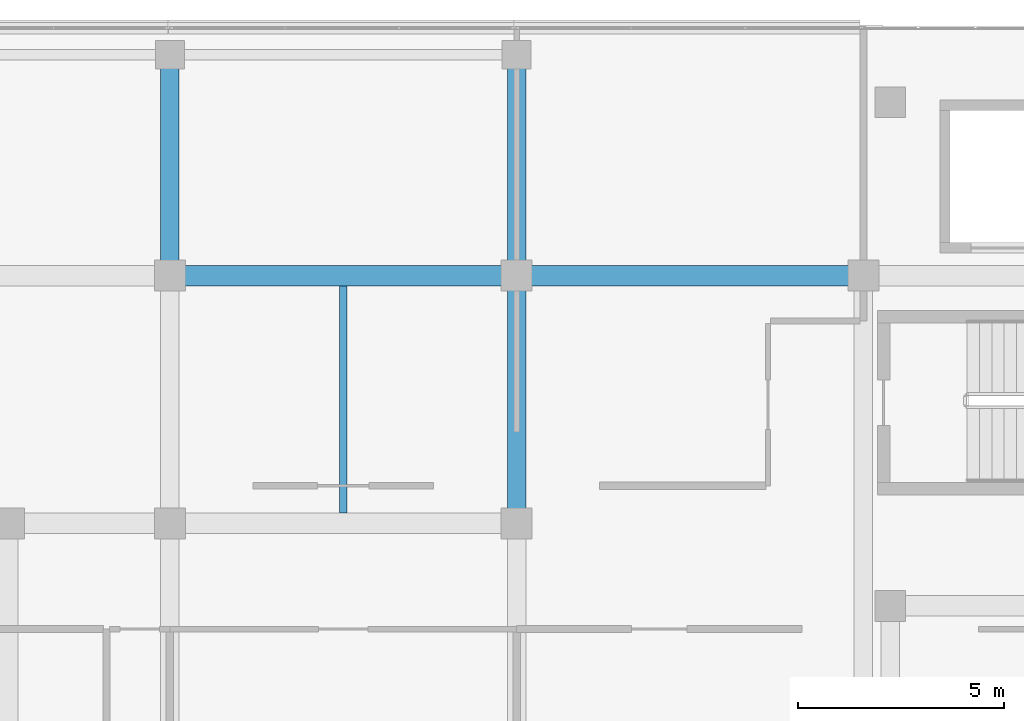
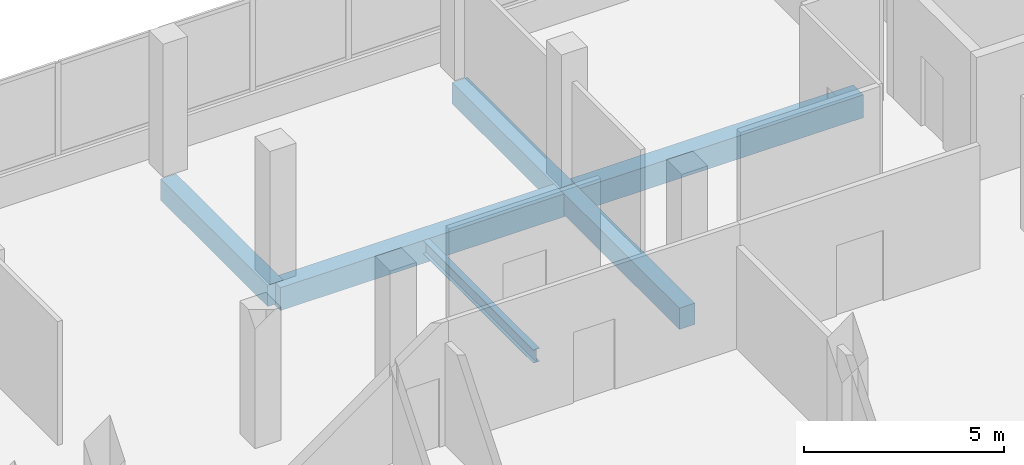
# One storey, part 37 of 101: 6 beams.
"""IFC4 building model written with IfcOpenShell, lengths in metres."""

from ifc_helpers import new_model, si_unit, direction, frame, origin, origin_2d, place, context, subcontext, project, spatial, rectangle, i_section, extrude, material, material_profile, profile_set, type_object, element, save


model = new_model("IFC4")

# Units and contexts
model_context = context("Model", 3, precision=1e-05, world=origin(), true_north=direction((0.0, 1.0)))
body_context = subcontext(model_context, "Body", "Model", "MODEL_VIEW")
ifc_project = project(units=[si_unit("LENGTHUNIT", "METRE"), si_unit("AREAUNIT", "SQUARE_METRE"), si_unit("VOLUMEUNIT", "CUBIC_METRE"), si_unit("PLANEANGLEUNIT", "RADIAN"), si_unit("MASSUNIT", "GRAM", prefix="KILO")], contexts=[model_context])

# Site, building, storey
site_placement = place(None, origin())
site = spatial("IfcSite", under=ifc_project, at=site_placement, CompositionType="ELEMENT")
building_placement = place(site_placement, origin())
building = spatial("IfcBuilding", under=site, at=building_placement, Name="Selatvlak General Hospital", CompositionType="ELEMENT")
storey_placement = place(building_placement, frame((0.0, 0.0, 19.199951171875)))
storey = spatial("IfcBuildingStorey", under=building, at=storey_placement, Name="L04", CompositionType="ELEMENT", Elevation=19.199951171875)

# Beams
ifc_material_1 = material(Name="Concrete C40/50", Category="concrete")
ifc_material_profile_1 = material_profile(ifc_material_1, rectangle(XDim=0.5, YDim=0.699951171875, at=origin_2d()), Name="RC-BM 500x700")
ifc_profile_set_1 = profile_set([ifc_material_profile_1], Name="Concrete C40/50")
beam_type_1 = type_object("IfcBeamType", Name="BM-G03", PredefinedType="BEAM", material=ifc_profile_set_1)
beam_1_placement = place(storey_placement, frame((31.199951171875, 114.0, -0.655029296875), z_axis=(1.0, 0.0, 0.0), x_axis=(0.0, 1.0, 0.0)))
element("IfcBeam", 1, at=beam_1_placement, inside=storey, type_object=beam_type_1, Name="Beam BMR-L04-1615", PredefinedType="BEAM", context=body_context, shape_type="SweptSolid", body=[
    extrude(rectangle(XDim=0.5, YDim=0.699951171875, at=origin_2d()), origin(), (0.0, 0.0, 1.0), 8.400146484375),
])
beam_2_placement = place(storey_placement, frame((39.60009765625, 114.0, -0.655029296875), z_axis=(1.0, 0.0, 0.0), x_axis=(0.0, 1.0, 0.0)))
element("IfcBeam", 2, at=beam_2_placement, inside=storey, type_object=beam_type_1, Name="Beam BMR-L04-1616", PredefinedType="BEAM", context=body_context, shape_type="SweptSolid", body=[
    extrude(rectangle(XDim=0.5, YDim=0.699951171875, at=origin_2d()), origin(), (0.0, 0.0, 1.0), 8.39990234375),
])
ifc_material_profile_2 = material_profile(ifc_material_1, rectangle(XDim=0.449951171875, YDim=0.64990234375, at=origin_2d()), Name="RC-BM 450x650")
ifc_profile_set_2 = profile_set([ifc_material_profile_2], Name="Concrete C40/50")
beam_type_2 = type_object("IfcBeamType", Name="BM-G04", PredefinedType="BEAM", material=ifc_profile_set_2)
beam_3_placement = place(storey_placement, frame((31.199951171875, 114.0, -0.6298828125), z_axis=(0.0, 1.0, 0.0), x_axis=(-1.0, 0.0, 0.0)))
element("IfcBeam", 3, at=beam_3_placement, inside=storey, type_object=beam_type_2, Name="Beam BMR-L04-1652", PredefinedType="BEAM", context=body_context, shape_type="SweptSolid", body=[
    extrude(rectangle(XDim=0.449951171875, YDim=0.64990234375, at=origin_2d()), origin(), (0.0, 0.0, 1.0), 5.35009765625),
])
beam_4_placement = place(storey_placement, frame((39.60009765625, 108.0, -0.6298828125), z_axis=(0.0, 1.0, 0.0), x_axis=(-1.0, 0.0, 0.0)))
element("IfcBeam", 4, at=beam_4_placement, inside=storey, type_object=beam_type_2, Name="Beam BMR-L04-1656", PredefinedType="BEAM", context=body_context, shape_type="SweptSolid", body=[
    extrude(rectangle(XDim=0.449951171875, YDim=0.64990234375, at=origin_2d()), origin(), (0.0, 0.0, 1.0), 6.0),
])
beam_5_placement = place(storey_placement, frame((39.60009765625, 114.0, -0.6298828125), z_axis=(0.0, 1.0, 0.0), x_axis=(-1.0, 0.0, 0.0)))
element("IfcBeam", 5, at=beam_5_placement, inside=storey, type_object=beam_type_2, Name="Beam BMR-L04-1657", PredefinedType="BEAM", context=body_context, shape_type="SweptSolid", body=[
    extrude(rectangle(XDim=0.449951171875, YDim=0.64990234375, at=origin_2d()), origin(), (0.0, 0.0, 1.0), 5.35009765625),
])
ifc_material_2 = material(Name="Steel S355", Category="steel")
ifc_material_profile_3 = material_profile(ifc_material_2, i_section(OverallWidth=0.177978515625, OverallDepth=0.406494140625, WebThickness=0.0078125, FlangeThickness=0.0126953125, at=origin_2d()), Name="UB 406x178x60")
ifc_profile_set_3 = profile_set([ifc_material_profile_3], Name="Steel S355")
beam_type_3 = type_object("IfcBeamType", Name="BM-J04", PredefinedType="JOIST", material=ifc_profile_set_3)
beam_6_placement = place(storey_placement, frame((35.39990234375, 108.25, -0.508056640625), z_axis=(0.0, 1.0, 0.0), x_axis=(-1.0, 0.0, 0.0)))
element("IfcBeam", 6, at=beam_6_placement, inside=storey, type_object=beam_type_3, Name="Beam BMR-L04-1788", PredefinedType="JOIST", context=body_context, shape_type="SweptSolid", body=[
    extrude(i_section(OverallWidth=0.177978515625, OverallDepth=0.406494140625, WebThickness=0.0078125, FlangeThickness=0.0126953125, at=origin_2d()), origin(), (0.0, 0.0, 1.0), 5.5),
])

save(model, "model.ifc")
